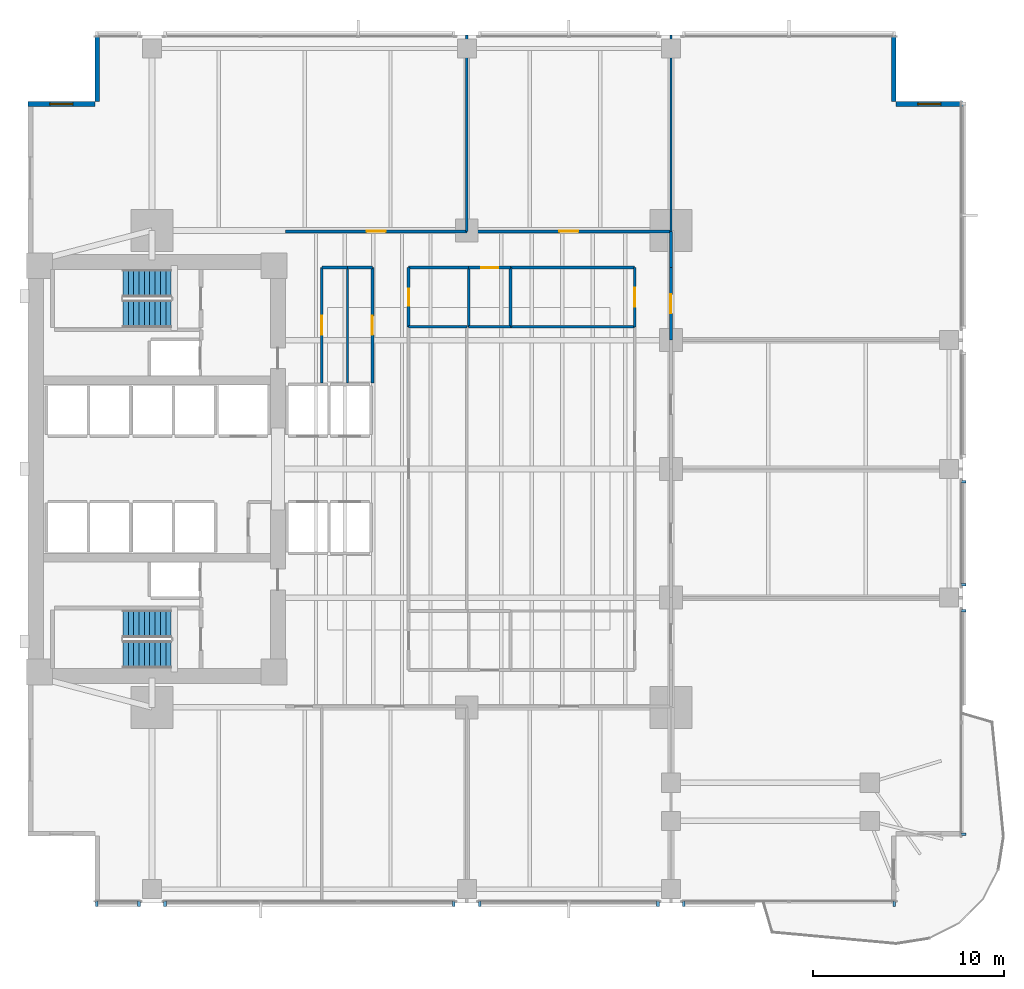
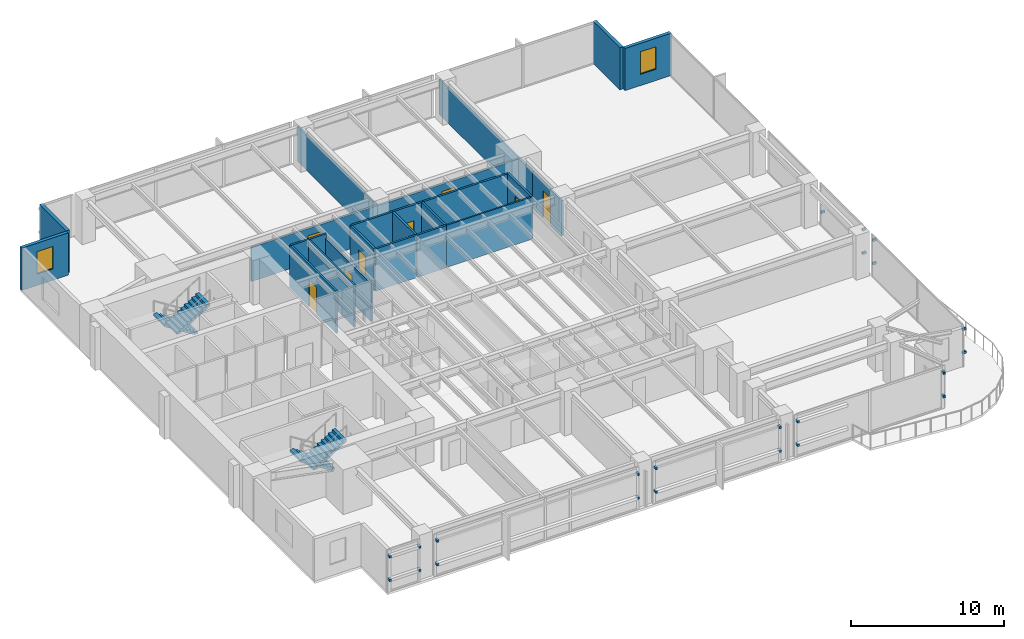
# One storey, part 10 of 15: 25 walls, 23 discrete accessories, 8 doors, 4 stair flights, 2 windows, 10 openings, 2 elements without a shape of their own.
"""IFC4 building model written with IfcOpenShell, lengths in metres."""

from ifc_helpers import new_model, si_unit, direction, frame, frame_2d, origin, origin_2d, place, context, subcontext, project, spatial, polyline, rectangle, outline, extrude, material, layer, layer_set, type_object, element, fill, aggregate, save


model = new_model("IFC4")

# Units and contexts
model_context = context("Model", 3, precision=1e-05, world=origin(), true_north=direction((0.0, 1.0)))
body_context = subcontext(model_context, "Body", "Model", "MODEL_VIEW")
ifc_project = project(units=[si_unit("LENGTHUNIT", "METRE"), si_unit("AREAUNIT", "SQUARE_METRE"), si_unit("VOLUMEUNIT", "CUBIC_METRE"), si_unit("PLANEANGLEUNIT", "RADIAN"), si_unit("MASSUNIT", "GRAM", prefix="KILO")], contexts=[model_context])

# Site, building, storey
site_placement = place(None, origin())
site = spatial("IfcSite", under=ifc_project, at=site_placement, CompositionType="ELEMENT")
building_placement = place(site_placement, origin())
building = spatial("IfcBuilding", under=site, at=building_placement, Name="Kinhvarn Gate Tower", CompositionType="ELEMENT")
storey_placement = place(building_placement, frame((0.0, 0.0, 32.699951171875)))
storey = spatial("IfcBuildingStorey", under=building, at=storey_placement, Name="L07", CompositionType="ELEMENT", Elevation=32.699951171875)

# Wall, opening, window
ifc_material_1 = material(Name="Fired architectural terracotta", Category="masonry")
ifc_layer_1 = layer(ifc_material_1, 0.25)
ifc_layer_set_1 = layer_set([ifc_layer_1], Name="Fired architectural terracotta")
wall_type_1 = type_object("IfcWallType", Name="WL-EXT-250", PredefinedType="SOLIDWALL", material=ifc_layer_set_1)
wall_1_placement = place(storey_placement, frame((53.5, 44.375, 0.0), z_axis=(0.0, 0.0, 1.0), x_axis=(-1.0, 0.0, 0.0)))
wall_1 = element("IfcWall", 1, at=wall_1_placement, inside=storey, type_object=wall_type_1, Name="Exterior Solidwall Wall EW-250 (L07 NE-Notch-1)", PredefinedType="SOLIDWALL", context=body_context, shape_type="SweptSolid", body=[
    extrude(rectangle(XDim=3.5, YDim=0.25, at=frame_2d((1.75, 0.0))), origin(), (0.0, 0.0, 1.0), 3.3701171875),
])
opening_1_placement = place(wall_1_placement, frame((1.14990234375, 0.0, 0.89990234375)))
opening_1 = element("IfcOpeningElement", 2, at=opening_1_placement, cuts=wall_1, Name="Opening WN-02", PredefinedType="OPENING", context=body_context, shape_type="SweptSolid", body=[
    extrude(rectangle(XDim=1.199951171875, YDim=1.800048828125, at=frame_2d((0.60009765625, 0.89990234375))), frame((0.0, 0.135009765625, 0.0), z_axis=(0.0, -1.0, 0.0), x_axis=(1.0, 0.0, 0.0)), (0.0, 0.0, 1.0), 0.27001953125),
])
ifc_material_2 = material(Name="Clear low-e double glazing", Category="glass")
window_type = type_object("IfcWindowType", Name="WIN-NTC-1200", PartitioningType="SINGLE_PANEL", PredefinedType="WINDOW", material=ifc_material_2)
window_1_placement = place(opening_1_placement, origin())
window_1 = element("IfcWindow", 3, at=window_1_placement, inside=storey, type_object=window_type, Name="Recessed Corner Notch Punched Window 1200x1800 mm (L07)", OverallHeight=1.800048828125, OverallWidth=1.199951171875, PartitioningType="SINGLE_PANEL", PredefinedType="WINDOW", context=body_context, shape_type="SweptSolid", body=[
    extrude(rectangle(XDim=1.199951171875, YDim=1.800048828125, at=frame_2d((0.60009765625, 0.89990234375))), frame((0.0, 0.030029296875, 0.0), z_axis=(0.0, -1.0, 0.0), x_axis=(1.0, 0.0, 0.0)), (0.0, 0.0, 1.0), 0.06005859375),
])
fill(opening_1, window_1)

# Walls
for number, where, z_axis, x_axis, name in (
    (4, (49.875, 44.5, 0.0), (0.0, 0.0, 1.0), (0.0, 1.0, 0.0), "Exterior Solidwall Wall EW-250 (L07 NE-Notch-2)"),
    (5, (8.125, 48.0, 0.0), (0.0, 0.0, 1.0), (0.0, -1.0, 0.0), "Exterior Solidwall Wall EW-250 (L07 NW-Notch-1)"),
):
    element("IfcWall", number, at=place(storey_placement, frame(where, z_axis=z_axis, x_axis=x_axis)), inside=storey, type_object=wall_type_1, Name=name, PredefinedType="SOLIDWALL", context=body_context, shape_type="SweptSolid", body=[
        extrude(rectangle(XDim=3.5, YDim=0.25, at=frame_2d((1.75, 0.0))), origin(), (0.0, 0.0, 1.0), 3.3701171875),
    ])

# Wall, opening, window
wall_2_placement = place(storey_placement, frame((8.0, 44.375, 0.0), z_axis=(0.0, 0.0, 1.0), x_axis=(-1.0, 0.0, 0.0)))
wall_2 = element("IfcWall", 6, at=wall_2_placement, inside=storey, type_object=wall_type_1, Name="Exterior Solidwall Wall EW-250 (L07 NW-Notch-2)", PredefinedType="SOLIDWALL", context=body_context, shape_type="SweptSolid", body=[
    extrude(rectangle(XDim=3.5, YDim=0.25, at=frame_2d((1.75, 0.0))), origin(), (0.0, 0.0, 1.0), 3.3701171875),
])
opening_2_placement = place(wall_2_placement, frame((1.14990234375, 0.0, 0.89990234375)))
opening_2 = element("IfcOpeningElement", 7, at=opening_2_placement, cuts=wall_2, Name="Opening WN-02", PredefinedType="OPENING", context=body_context, shape_type="SweptSolid", body=[
    extrude(rectangle(XDim=1.199951171875, YDim=1.800048828125, at=frame_2d((0.60009765625, 0.89990234375))), frame((0.0, 0.135009765625, 0.0), z_axis=(0.0, -1.0, 0.0), x_axis=(1.0, 0.0, 0.0)), (0.0, 0.0, 1.0), 0.27001953125),
])
window_2_placement = place(opening_2_placement, origin())
window_2 = element("IfcWindow", 8, at=window_2_placement, inside=storey, type_object=window_type, Name="Recessed Corner Notch Punched Window 1200x1800 mm (L07)", OverallHeight=1.800048828125, OverallWidth=1.199951171875, PartitioningType="SINGLE_PANEL", PredefinedType="WINDOW", context=body_context, shape_type="SweptSolid", body=[
    extrude(rectangle(XDim=1.199951171875, YDim=1.800048828125, at=frame_2d((0.60009765625, 0.89990234375))), frame((0.0, 0.030029296875, 0.0), z_axis=(0.0, -1.0, 0.0), x_axis=(1.0, 0.0, 0.0)), (0.0, 0.0, 1.0), 0.06005859375),
])
fill(opening_2, window_2)

# Walls
ifc_material_3 = material(Name="Gypsum acoustic partition board")
ifc_layer_2 = layer(ifc_material_3, 0.14990234375)
ifc_layer_set_2 = layer_set([ifc_layer_2], Name="Gypsum acoustic partition board")
wall_type_2 = type_object("IfcWallType", Name="WL-PLM-150", PredefinedType="PLUMBINGWALL", material=ifc_layer_set_2)
wall_3_placement = place(storey_placement, frame((27.60009765625, 32.699951171875, 0.0), z_axis=(0.0, 0.0, 1.0), x_axis=(0.0, 1.0, 0.0)))
element("IfcWall", 9, at=wall_3_placement, inside=storey, type_object=wall_type_2, Name="Interior Partition PLW-150 (L07)", PredefinedType="PLUMBINGWALL", context=body_context, shape_type="SweptSolid", body=[
    extrude(rectangle(XDim=3.10009765625, YDim=0.14990234375, at=frame_2d((1.550048828125, 0.0))), origin(), (0.0, 0.0, 1.0), 3.3701171875),
])
wall_4_placement = place(storey_placement, frame((24.449951171875, 32.699951171875, 0.0), z_axis=(0.0, 0.0, 1.0), x_axis=(1.0, 0.0, 0.0)))
element("IfcWall", 10, at=wall_4_placement, inside=storey, type_object=wall_type_2, Name="Interior Partition PLW-150 (L07)", PredefinedType="PLUMBINGWALL", context=body_context, shape_type="SweptSolid", body=[
    extrude(rectangle(XDim=3.050048828125, YDim=0.14990234375, at=frame_2d((1.52490234375, 0.0))), origin(), (0.0, 0.0, 1.0), 3.3701171875),
])
wall_5_placement = place(storey_placement, frame((29.800048828125, 32.699951171875, 0.0), z_axis=(0.0, 0.0, 1.0), x_axis=(0.0, 1.0, 0.0)))
element("IfcWall", 11, at=wall_5_placement, inside=storey, type_object=wall_type_2, Name="Interior Partition PLW-150 (L07)", PredefinedType="PLUMBINGWALL", context=body_context, shape_type="SweptSolid", body=[
    extrude(rectangle(XDim=3.10009765625, YDim=0.14990234375, at=frame_2d((1.550048828125, 0.0))), origin(), (0.0, 0.0, 1.0), 3.3701171875),
])
wall_6_placement = place(storey_placement, frame((27.60009765625, 32.699951171875, 0.0), z_axis=(0.0, 0.0, 1.0), x_axis=(1.0, 0.0, 0.0)))
element("IfcWall", 12, at=wall_6_placement, inside=storey, type_object=wall_type_2, Name="Interior Partition PLW-150 (L07)", PredefinedType="PLUMBINGWALL", context=body_context, shape_type="SweptSolid", body=[
    extrude(rectangle(XDim=2.199951171875, YDim=0.14990234375, at=frame_2d((1.10009765625, 0.0))), origin(), (0.0, 0.0, 1.0), 3.3701171875),
])

# Wall, opening, door
ifc_layer_3 = layer(ifc_material_3, 0.14990234375)
ifc_layer_set_3 = layer_set([ifc_layer_3], Name="Gypsum acoustic partition board")
wall_type_3 = type_object("IfcWallType", Name="WL-PLM-150F", PredefinedType="PLUMBINGWALL", material=ifc_layer_set_3)
wall_7_placement = place(storey_placement, frame((24.449951171875, 32.699951171875, 0.0), z_axis=(0.0, 0.0, 1.0), x_axis=(0.0, 1.0, 0.0)))
wall_7 = element("IfcWall", 13, at=wall_7_placement, inside=storey, type_object=wall_type_3, Name="Interior Partition PLW-150F (L07)", PredefinedType="PLUMBINGWALL", context=body_context, shape_type="SweptSolid", body=[
    extrude(rectangle(XDim=3.10009765625, YDim=0.14990234375, at=frame_2d((1.550048828125, 0.0))), origin(), (0.0, 0.0, 1.0), 3.3701171875),
])
opening_3_placement = place(wall_7_placement, frame((1.10009765625, 0.0, 0.0)))
opening_3 = element("IfcOpeningElement", 14, at=opening_3_placement, cuts=wall_7, Name="Opening FD-04", PredefinedType="OPENING", context=body_context, shape_type="SweptSolid", body=[
    extrude(rectangle(XDim=0.89990234375, YDim=2.10009765625, at=frame_2d((0.449951171875, 1.050048828125))), frame((0.0, 0.0849609375, 0.0), z_axis=(0.0, -1.0, 0.0), x_axis=(1.0, 0.0, 0.0)), (0.0, 0.0, 1.0), 0.169921875),
])
ifc_material_4 = material(Name="Anodised aluminium AW-6063", Category="aluminium")
door_type_1 = type_object("IfcDoorType", Name="DR-FD-900", OperationType="NOTDEFINED", PredefinedType="DOOR", material=ifc_material_4)
door_1_placement = place(opening_3_placement, origin())
door_1 = element("IfcDoor", 15, at=door_1_placement, inside=storey, type_object=door_type_1, Name="Rated Riser & Service Closet Fire Door 900x2100 mm (L07)", OperationType="SINGLE_SWING_RIGHT", OverallHeight=2.10009765625, OverallWidth=0.89990234375, PredefinedType="DOOR", context=body_context, shape_type="SweptSolid", body=[
    extrude(rectangle(XDim=0.89990234375, YDim=2.10009765625, at=frame_2d((0.449951171875, 1.050048828125))), frame((0.0, 0.02490234375, 0.0), z_axis=(0.0, -1.0, 0.0), x_axis=(1.0, 0.0, 0.0)), (0.0, 0.0, 1.0), 0.050048828125),
])
fill(opening_3, door_1)

# Wall
wall_8_placement = place(storey_placement, frame((24.449951171875, 35.800048828125, 0.0), z_axis=(0.0, 0.0, 1.0), x_axis=(1.0, 0.0, 0.0)))
element("IfcWall", 16, at=wall_8_placement, inside=storey, type_object=wall_type_3, Name="Interior Partition PLW-150F (L07)", PredefinedType="PLUMBINGWALL", context=body_context, shape_type="SweptSolid", body=[
    extrude(rectangle(XDim=3.150146484375, YDim=0.14990234375, at=frame_2d((1.5751953125, 0.0))), origin(), (0.0, 0.0, 1.0), 3.3701171875),
])

# Wall, opening, door
wall_9_placement = place(storey_placement, frame((27.60009765625, 35.800048828125, 0.0), z_axis=(0.0, 0.0, 1.0), x_axis=(1.0, 0.0, 0.0)))
wall_9 = element("IfcWall", 17, at=wall_9_placement, inside=storey, type_object=wall_type_3, Name="Interior Partition PLW-150F (L07)", PredefinedType="PLUMBINGWALL", context=body_context, shape_type="SweptSolid", body=[
    extrude(rectangle(XDim=2.199951171875, YDim=0.14990234375, at=frame_2d((1.10009765625, 0.0))), origin(), (0.0, 0.0, 1.0), 3.3701171875),
])
opening_4_placement = place(wall_9_placement, frame((0.64990234375, 0.0, 0.0)))
opening_4 = element("IfcOpeningElement", 18, at=opening_4_placement, cuts=wall_9, Name="Opening FD-04", PredefinedType="OPENING", context=body_context, shape_type="SweptSolid", body=[
    extrude(rectangle(XDim=0.89990234375, YDim=2.10009765625, at=frame_2d((0.449951171875, 1.050048828125))), frame((0.0, 0.0849609375, 0.0), z_axis=(0.0, -1.0, 0.0), x_axis=(1.0, 0.0, 0.0)), (0.0, 0.0, 1.0), 0.169921875),
])
door_2_placement = place(opening_4_placement, origin())
door_2 = element("IfcDoor", 19, at=door_2_placement, inside=storey, type_object=door_type_1, Name="Rated Riser & Service Closet Fire Door 900x2100 mm (L07)", OperationType="SINGLE_SWING_LEFT", OverallHeight=2.10009765625, OverallWidth=0.89990234375, PredefinedType="DOOR", context=body_context, shape_type="SweptSolid", body=[
    extrude(rectangle(XDim=0.89990234375, YDim=2.10009765625, at=frame_2d((0.449951171875, 1.050048828125))), frame((0.0, 0.02490234375, 0.0), z_axis=(0.0, -1.0, 0.0), x_axis=(1.0, 0.0, 0.0)), (0.0, 0.0, 1.0), 0.050048828125),
])
fill(opening_4, door_2)

# Walls
ifc_layer_4 = layer(ifc_material_3, 0.1201171875)
ifc_layer_set_4 = layer_set([ifc_layer_4], Name="Gypsum acoustic partition board")
wall_type_4 = type_object("IfcWallType", Name="WL-PRT-120", PredefinedType="PARTITIONING", material=ifc_layer_set_4)
wall_10_placement = place(storey_placement, frame((21.25, 29.75, 0.0), z_axis=(0.0, 0.0, 1.0), x_axis=(0.0, 1.0, 0.0)))
element("IfcWall", 20, at=wall_10_placement, inside=storey, type_object=wall_type_4, Name="Interior Partition PW-120 (L07)", PredefinedType="PARTITIONING", context=body_context, shape_type="SweptSolid", body=[
    extrude(rectangle(XDim=6.050048828125, YDim=0.1201171875, at=frame_2d((3.02490234375, 0.0))), origin(), (0.0, 0.0, 1.0), 3.3701171875),
])
wall_11_placement = place(storey_placement, frame((29.800048828125, 32.699951171875, 0.0), z_axis=(0.0, 0.0, 1.0), x_axis=(1.0, 0.0, 0.0)))
element("IfcWall", 21, at=wall_11_placement, inside=storey, type_object=wall_type_4, Name="Interior Partition PW-120 (L07)", PredefinedType="PARTITIONING", context=body_context, shape_type="SweptSolid", body=[
    extrude(rectangle(XDim=6.5, YDim=0.1201171875, at=frame_2d((3.25, 0.0))), origin(), (0.0, 0.0, 1.0), 3.3701171875),
])
for number, where, z_axis, x_axis, name in (
    (22, (27.5, 37.699951171875, 0.0), (0.0, 0.0, 1.0), (0.0, 1.0, 0.0), "Interior Partition PW-120 (L07)"),
    (23, (38.199951171875, 37.699951171875, 0.0), (0.0, 0.0, 1.0), (0.0, 1.0, 0.0), "Interior Partition PW-120 (L07)"),
):
    element("IfcWall", number, at=place(storey_placement, frame(where, z_axis=z_axis, x_axis=x_axis)), inside=storey, type_object=wall_type_4, Name=name, PredefinedType="PARTITIONING", context=body_context, shape_type="SweptSolid", body=[
        extrude(rectangle(XDim=10.2900390625, YDim=0.1201171875, at=frame_2d((5.14501953125, 0.0))), origin(), (0.0, 0.0, 1.0), 2.820068359375),
    ])

# Wall, opening, door
ifc_layer_5 = layer(ifc_material_3, 0.14990234375)
ifc_layer_set_5 = layer_set([ifc_layer_5], Name="Gypsum acoustic partition board")
wall_type_5 = type_object("IfcWallType", Name="WL-PRT-150F", PredefinedType="PARTITIONING", material=ifc_layer_set_5)
wall_12_placement = place(storey_placement, frame((22.550048828125, 29.75, 0.0), z_axis=(0.0, 0.0, 1.0), x_axis=(0.0, 1.0, 0.0)))
wall_12 = element("IfcWall", 24, at=wall_12_placement, inside=storey, type_object=wall_type_5, Name="Interior Partition PW-150F (L07)", PredefinedType="PARTITIONING", context=body_context, shape_type="SweptSolid", body=[
    extrude(rectangle(XDim=6.050048828125, YDim=0.14990234375, at=frame_2d((3.02490234375, 0.0))), origin(), (0.0, 0.0, 1.0), 3.010009765625),
])
opening_5_placement = place(wall_12_placement, frame((2.52490234375, 0.0, 0.0)))
opening_5 = element("IfcOpeningElement", 25, at=opening_5_placement, cuts=wall_12, Name="Opening ID-02", PredefinedType="OPENING", context=body_context, shape_type="SweptSolid", body=[
    extrude(rectangle(XDim=1.0, YDim=2.14990234375, at=frame_2d((0.5, 1.074951171875))), frame((0.0, 0.0849609375, 0.0), z_axis=(0.0, -1.0, 0.0), x_axis=(1.0, 0.0, 0.0)), (0.0, 0.0, 1.0), 0.169921875),
])
door_type_2 = type_object("IfcDoorType", Name="DR-INT-1000", OperationType="NOTDEFINED", PredefinedType="DOOR", material=ifc_material_4)
door_3_placement = place(opening_5_placement, origin())
door_3 = element("IfcDoor", 26, at=door_3_placement, inside=storey, type_object=door_type_2, Name="Standard Office & Meeting Room Door 1000x2150 mm (L07)", OperationType="SINGLE_SWING_RIGHT", OverallHeight=2.14990234375, OverallWidth=1.0, PredefinedType="DOOR", context=body_context, shape_type="SweptSolid", body=[
    extrude(rectangle(XDim=1.0, YDim=2.14990234375, at=frame_2d((0.5, 1.074951171875))), frame((0.0, 0.02490234375, 0.0), z_axis=(0.0, -1.0, 0.0), x_axis=(1.0, 0.0, 0.0)), (0.0, 0.0, 1.0), 0.050048828125),
])
fill(opening_5, door_3)

wall_13_placement = place(storey_placement, frame((19.89990234375, 29.75, 0.0), z_axis=(0.0, 0.0, 1.0), x_axis=(0.0, 1.0, 0.0)))
wall_13 = element("IfcWall", 27, at=wall_13_placement, inside=storey, type_object=wall_type_5, Name="Interior Partition PW-150F (L07)", PredefinedType="PARTITIONING", context=body_context, shape_type="SweptSolid", body=[
    extrude(rectangle(XDim=6.050048828125, YDim=0.14990234375, at=frame_2d((3.02490234375, 0.0))), origin(), (0.0, 0.0, 1.0), 3.3701171875),
])
opening_6_placement = place(wall_13_placement, frame((2.52490234375, 0.0, 0.0)))
opening_6 = element("IfcOpeningElement", 28, at=opening_6_placement, cuts=wall_13, Name="Opening ID-02", PredefinedType="OPENING", context=body_context, shape_type="SweptSolid", body=[
    extrude(rectangle(XDim=1.0, YDim=2.14990234375, at=frame_2d((0.5, 1.074951171875))), frame((0.0, 0.0849609375, 0.0), z_axis=(0.0, -1.0, 0.0), x_axis=(1.0, 0.0, 0.0)), (0.0, 0.0, 1.0), 0.169921875),
])
door_4_placement = place(opening_6_placement, origin())
door_4 = element("IfcDoor", 29, at=door_4_placement, inside=storey, type_object=door_type_2, Name="Standard Office & Meeting Room Door 1000x2150 mm (L07)", OperationType="SINGLE_SWING_RIGHT", OverallHeight=2.14990234375, OverallWidth=1.0, PredefinedType="DOOR", context=body_context, shape_type="SweptSolid", body=[
    extrude(rectangle(XDim=1.0, YDim=2.14990234375, at=frame_2d((0.5, 1.074951171875))), frame((0.0, 0.02490234375, 0.0), z_axis=(0.0, -1.0, 0.0), x_axis=(1.0, 0.0, 0.0)), (0.0, 0.0, 1.0), 0.050048828125),
])
fill(opening_6, door_4)

# Walls
wall_14_placement = place(storey_placement, frame((19.89990234375, 35.800048828125, 0.0), z_axis=(0.0, 0.0, 1.0), x_axis=(1.0, 0.0, 0.0)))
element("IfcWall", 30, at=wall_14_placement, inside=storey, type_object=wall_type_5, Name="Interior Partition PW-150F (L07)", PredefinedType="PARTITIONING", context=body_context, shape_type="SweptSolid", body=[
    extrude(rectangle(XDim=1.35009765625, YDim=0.14990234375, at=frame_2d((0.675048828125, 0.0))), origin(), (0.0, 0.0, 1.0), 3.3701171875),
])
wall_15_placement = place(storey_placement, frame((21.25, 35.800048828125, 0.0), z_axis=(0.0, 0.0, 1.0), x_axis=(1.0, 0.0, 0.0)))
element("IfcWall", 31, at=wall_15_placement, inside=storey, type_object=wall_type_5, Name="Interior Partition PW-150F (L07)", PredefinedType="PARTITIONING", context=body_context, shape_type="SweptSolid", body=[
    extrude(rectangle(XDim=1.300048828125, YDim=0.14990234375, at=frame_2d((0.64990234375, 0.0))), origin(), (0.0, 0.0, 1.0), 3.3701171875),
])
wall_16_placement = place(storey_placement, frame((29.800048828125, 35.800048828125, 0.0), z_axis=(0.0, 0.0, 1.0), x_axis=(1.0, 0.0, 0.0)))
element("IfcWall", 32, at=wall_16_placement, inside=storey, type_object=wall_type_5, Name="Interior Partition PW-150F (L07)", PredefinedType="PARTITIONING", context=body_context, shape_type="SweptSolid", body=[
    extrude(rectangle(XDim=6.5, YDim=0.14990234375, at=frame_2d((3.25, 0.0))), origin(), (0.0, 0.0, 1.0), 3.3701171875),
])

# Wall, opening, door
wall_17_placement = place(storey_placement, frame((18.0, 37.699951171875, 0.0), z_axis=(0.0, 0.0, 1.0), x_axis=(1.0, 0.0, 0.0)))
wall_17 = element("IfcWall", 33, at=wall_17_placement, inside=storey, type_object=wall_type_5, Name="Interior Partition PW-150F (L07)", PredefinedType="PARTITIONING", context=body_context, shape_type="SweptSolid", body=[
    extrude(rectangle(XDim=9.5, YDim=0.14990234375, at=frame_2d((4.75, 0.0))), origin(), (0.0, 0.0, 1.0), 2.719970703125),
])
opening_7_placement = place(wall_17_placement, frame((4.25, 0.0, 0.0)))
opening_7 = element("IfcOpeningElement", 34, at=opening_7_placement, cuts=wall_17, Name="Opening ID-02", PredefinedType="OPENING", context=body_context, shape_type="SweptSolid", body=[
    extrude(rectangle(XDim=1.0, YDim=2.14990234375, at=frame_2d((0.5, 1.074951171875))), frame((0.0, 0.0849609375, 0.0), z_axis=(0.0, -1.0, 0.0), x_axis=(1.0, 0.0, 0.0)), (0.0, 0.0, 1.0), 0.169921875),
])
door_5_placement = place(opening_7_placement, origin())
door_5 = element("IfcDoor", 35, at=door_5_placement, inside=storey, type_object=door_type_2, Name="Standard Office & Meeting Room Door 1000x2150 mm (L07)", OperationType="SINGLE_SWING_RIGHT", OverallHeight=2.14990234375, OverallWidth=1.0, PredefinedType="DOOR", context=body_context, shape_type="SweptSolid", body=[
    extrude(rectangle(XDim=1.0, YDim=2.14990234375, at=frame_2d((0.5, 1.074951171875))), frame((0.0, 0.02490234375, 0.0), z_axis=(0.0, -1.0, 0.0), x_axis=(1.0, 0.0, 0.0)), (0.0, 0.0, 1.0), 0.050048828125),
])
fill(opening_7, door_5)

wall_18_placement = place(storey_placement, frame((27.5, 37.699951171875, 0.0), z_axis=(0.0, 0.0, 1.0), x_axis=(1.0, 0.0, 0.0)))
wall_18 = element("IfcWall", 36, at=wall_18_placement, inside=storey, type_object=wall_type_5, Name="Interior Partition PW-150F (L07)", PredefinedType="PARTITIONING", context=body_context, shape_type="SweptSolid", body=[
    extrude(rectangle(XDim=10.699951171875, YDim=0.14990234375, at=frame_2d((5.35009765625, 0.0))), origin(), (0.0, 0.0, 1.0), 2.719970703125),
])
opening_8_placement = place(wall_18_placement, frame((4.85009765625, 0.0, 0.0)))
opening_8 = element("IfcOpeningElement", 37, at=opening_8_placement, cuts=wall_18, Name="Opening ID-02", PredefinedType="OPENING", context=body_context, shape_type="SweptSolid", body=[
    extrude(rectangle(XDim=1.0, YDim=2.14990234375, at=frame_2d((0.5, 1.074951171875))), frame((0.0, 0.0849609375, 0.0), z_axis=(0.0, -1.0, 0.0), x_axis=(1.0, 0.0, 0.0)), (0.0, 0.0, 1.0), 0.169921875),
])
door_6_placement = place(opening_8_placement, origin())
door_6 = element("IfcDoor", 38, at=door_6_placement, inside=storey, type_object=door_type_2, Name="Standard Office & Meeting Room Door 1000x2150 mm (L07)", OperationType="SINGLE_SWING_LEFT", OverallHeight=2.14990234375, OverallWidth=1.0, PredefinedType="DOOR", context=body_context, shape_type="SweptSolid", body=[
    extrude(rectangle(XDim=1.0, YDim=2.14990234375, at=frame_2d((0.5, 1.074951171875))), frame((0.0, 0.02490234375, 0.0), z_axis=(0.0, -1.0, 0.0), x_axis=(1.0, 0.0, 0.0)), (0.0, 0.0, 1.0), 0.050048828125),
])
fill(opening_8, door_6)

# Wall
wall_19_placement = place(storey_placement, frame((38.199951171875, 35.800048828125, 0.0), z_axis=(0.0, 0.0, 1.0), x_axis=(0.0, 1.0, 0.0)))
element("IfcWall", 39, at=wall_19_placement, inside=storey, type_object=wall_type_5, Name="Interior Partition PW-150F (L07)", PredefinedType="PARTITIONING", context=body_context, shape_type="SweptSolid", body=[
    extrude(rectangle(XDim=1.89990234375, YDim=0.14990234375, at=frame_2d((0.949951171875, 0.0))), origin(), (0.0, 0.0, 1.0), 2.820068359375),
])

# Wall, opening, door
wall_20_placement = place(storey_placement, frame((36.300048828125, 32.699951171875, 0.0), z_axis=(0.0, 0.0, 1.0), x_axis=(0.0, 1.0, 0.0)))
wall_20 = element("IfcWall", 40, at=wall_20_placement, inside=storey, type_object=wall_type_5, Name="Interior Partition PW-150F (L07)", PredefinedType="PARTITIONING", context=body_context, shape_type="SweptSolid", body=[
    extrude(rectangle(XDim=3.10009765625, YDim=0.14990234375, at=frame_2d((1.550048828125, 0.0))), origin(), (0.0, 0.0, 1.0), 3.3701171875),
])
opening_9_placement = place(wall_20_placement, frame((1.050048828125, 0.0, 0.0)))
opening_9 = element("IfcOpeningElement", 41, at=opening_9_placement, cuts=wall_20, Name="Opening ID-02", PredefinedType="OPENING", context=body_context, shape_type="SweptSolid", body=[
    extrude(rectangle(XDim=1.0, YDim=2.14990234375, at=frame_2d((0.5, 1.074951171875))), frame((0.0, 0.0849609375, 0.0), z_axis=(0.0, -1.0, 0.0), x_axis=(1.0, 0.0, 0.0)), (0.0, 0.0, 1.0), 0.169921875),
])
door_7_placement = place(opening_9_placement, origin())
door_7 = element("IfcDoor", 42, at=door_7_placement, inside=storey, type_object=door_type_2, Name="Standard Office & Meeting Room Door 1000x2150 mm (L07)", OperationType="SINGLE_SWING_LEFT", OverallHeight=2.14990234375, OverallWidth=1.0, PredefinedType="DOOR", context=body_context, shape_type="SweptSolid", body=[
    extrude(rectangle(XDim=1.0, YDim=2.14990234375, at=frame_2d((0.5, 1.074951171875))), frame((0.0, 0.02490234375, 0.0), z_axis=(0.0, -1.0, 0.0), x_axis=(1.0, 0.0, 0.0)), (0.0, 0.0, 1.0), 0.050048828125),
])
fill(opening_9, door_7)

wall_21_placement = place(storey_placement, frame((38.199951171875, 32.0, 0.0), z_axis=(0.0, 0.0, 1.0), x_axis=(0.0, 1.0, 0.0)))
wall_21 = element("IfcWall", 43, at=wall_21_placement, inside=storey, type_object=wall_type_5, Name="Interior Partition PW-150F (L07)", PredefinedType="PARTITIONING", context=body_context, shape_type="SweptSolid", body=[
    extrude(rectangle(XDim=3.800048828125, YDim=0.14990234375, at=frame_2d((1.89990234375, 0.0))), origin(), (0.0, 0.0, 1.0), 2.820068359375),
])
opening_10_placement = place(wall_21_placement, frame((1.39990234375, 0.0, 0.0)))
opening_10 = element("IfcOpeningElement", 44, at=opening_10_placement, cuts=wall_21, Name="Opening ID-02", PredefinedType="OPENING", context=body_context, shape_type="SweptSolid", body=[
    extrude(rectangle(XDim=1.0, YDim=2.14990234375, at=frame_2d((0.5, 1.074951171875))), frame((0.0, 0.0849609375, 0.0), z_axis=(0.0, -1.0, 0.0), x_axis=(1.0, 0.0, 0.0)), (0.0, 0.0, 1.0), 0.169921875),
])
door_8_placement = place(opening_10_placement, origin())
door_8 = element("IfcDoor", 45, at=door_8_placement, inside=storey, type_object=door_type_2, Name="Standard Office & Meeting Room Door 1000x2150 mm (L07)", OperationType="SINGLE_SWING_RIGHT", OverallHeight=2.14990234375, OverallWidth=1.0, PredefinedType="DOOR", context=body_context, shape_type="SweptSolid", body=[
    extrude(rectangle(XDim=1.0, YDim=2.14990234375, at=frame_2d((0.5, 1.074951171875))), frame((0.0, 0.02490234375, 0.0), z_axis=(0.0, -1.0, 0.0), x_axis=(1.0, 0.0, 0.0)), (0.0, 0.0, 1.0), 0.050048828125),
])
fill(opening_10, door_8)

# Stair, stair flights
ifc_material_5 = material(Name="Concrete C40/50", Category="concrete")
stair_type = type_object("IfcStairType", Name="STR-DLG-177", PredefinedType="HALF_TURN_STAIR", material=ifc_material_5)
stair_1_placement = place(storey_placement, origin())
stair_1 = element("IfcStair", 46, at=stair_1_placement, inside=storey, type_object=stair_type, Name="L07 Core Smokeproof Exit Stair ST1", PredefinedType="HALF_TURN_STAIR")
stair_flight_type = type_object("IfcStairFlightType", Name="STF-DLG-177", PredefinedType="STRAIGHT", material=ifc_material_5)
stair_flight_1_placement = place(storey_placement, frame((12.0, 17.125, 0.0), z_axis=(0.0, 0.0, 1.0), x_axis=(-1.0, 0.0, 0.0)))
stair_flight_1 = element("IfcStairFlight", 47, at=stair_flight_1_placement, type_object=stair_flight_type, Name="ST1 flight 1", NumberOfRisers=10, NumberOfTreads=9, PredefinedType="STRAIGHT", RiserHeight=0.1775, TreadLength=0.28, context=body_context, shape_type="SweptSolid", body=[
    extrude(outline(polyline([(0.0, 0.0), (0.0, 0.177490234375), (0.280029296875, 0.177490234375), (0.280029296875, 0.35498046875), (0.56005859375, 0.35498046875), (0.56005859375, 0.532470703125), (0.840087890625, 0.532470703125), (0.840087890625, 0.7099609375), (1.1201171875, 0.7099609375), (1.1201171875, 0.887451171875), (1.39990234375, 0.887451171875), (1.39990234375, 1.06494140625), (1.679931640625, 1.06494140625), (1.679931640625, 1.242431640625), (1.9599609375, 1.242431640625), (1.9599609375, 1.419921875), (2.239990234375, 1.419921875), (2.239990234375, 1.597412109375), (2.52001953125, 1.597412109375), (2.52001953125, 1.77490234375), (2.52001953125, 1.419921875), (0.280029296875, 0.0), (0.0, 0.0)])), frame((0.0, 0.72509765625, 0.0), z_axis=(0.0, -1.0, 0.0), x_axis=(1.0, 0.0, 0.0)), (0.0, 0.0, 1.0), 1.449951171875),
])
stair_flight_2_placement = place(storey_placement, frame((9.47998046875, 15.52490234375, 1.775146484375), z_axis=(0.0, 0.0, 1.0), x_axis=(1.0, 0.0, 0.0)))
stair_flight_2 = element("IfcStairFlight", 48, at=stair_flight_2_placement, type_object=stair_flight_type, Name="ST1 flight 2", NumberOfRisers=10, NumberOfTreads=9, PredefinedType="STRAIGHT", RiserHeight=0.1775, TreadLength=0.28, context=body_context, shape_type="SweptSolid", body=[
    extrude(outline(polyline([(0.0, 0.0), (0.0, 0.177490234375), (0.280029296875, 0.177490234375), (0.280029296875, 0.35498046875), (0.56005859375, 0.35498046875), (0.56005859375, 0.532470703125), (0.840087890625, 0.532470703125), (0.840087890625, 0.7099609375), (1.1201171875, 0.7099609375), (1.1201171875, 0.887451171875), (1.39990234375, 0.887451171875), (1.39990234375, 1.06494140625), (1.679931640625, 1.06494140625), (1.679931640625, 1.242431640625), (1.9599609375, 1.242431640625), (1.9599609375, 1.419921875), (2.239990234375, 1.419921875), (2.239990234375, 1.597412109375), (2.52001953125, 1.597412109375), (2.52001953125, 1.77490234375), (2.52001953125, 1.419921875), (0.280029296875, 0.0), (0.0, 0.0)])), frame((0.0, 0.72509765625, 0.0), z_axis=(0.0, -1.0, 0.0), x_axis=(1.0, 0.0, 0.0)), (0.0, 0.0, 1.0), 1.449951171875),
])
aggregate(stair_1, [stair_flight_1, stair_flight_2])

stair_2_placement = place(storey_placement, origin())
stair_2 = element("IfcStair", 49, at=stair_2_placement, inside=storey, type_object=stair_type, Name="L07 Core Smokeproof Exit Stair ST2", PredefinedType="HALF_TURN_STAIR")
stair_flight_3_placement = place(storey_placement, frame((12.0, 34.97509765625, 0.0), z_axis=(0.0, 0.0, 1.0), x_axis=(-1.0, 0.0, 0.0)))
stair_flight_3 = element("IfcStairFlight", 50, at=stair_flight_3_placement, type_object=stair_flight_type, Name="ST2 flight 1", NumberOfRisers=10, NumberOfTreads=9, PredefinedType="STRAIGHT", RiserHeight=0.1775, TreadLength=0.28, context=body_context, shape_type="SweptSolid", body=[
    extrude(outline(polyline([(0.0, 0.0), (0.0, 0.177490234375), (0.280029296875, 0.177490234375), (0.280029296875, 0.35498046875), (0.56005859375, 0.35498046875), (0.56005859375, 0.532470703125), (0.840087890625, 0.532470703125), (0.840087890625, 0.7099609375), (1.1201171875, 0.7099609375), (1.1201171875, 0.887451171875), (1.39990234375, 0.887451171875), (1.39990234375, 1.06494140625), (1.679931640625, 1.06494140625), (1.679931640625, 1.242431640625), (1.9599609375, 1.242431640625), (1.9599609375, 1.419921875), (2.239990234375, 1.419921875), (2.239990234375, 1.597412109375), (2.52001953125, 1.597412109375), (2.52001953125, 1.77490234375), (2.52001953125, 1.419921875), (0.280029296875, 0.0), (0.0, 0.0)])), frame((0.0, 0.72509765625, 0.0), z_axis=(0.0, -1.0, 0.0), x_axis=(1.0, 0.0, 0.0)), (0.0, 0.0, 1.0), 1.449951171875),
])
stair_flight_4_placement = place(storey_placement, frame((9.47998046875, 33.375, 1.775146484375), z_axis=(0.0, 0.0, 1.0), x_axis=(1.0, 0.0, 0.0)))
stair_flight_4 = element("IfcStairFlight", 51, at=stair_flight_4_placement, type_object=stair_flight_type, Name="ST2 flight 2", NumberOfRisers=10, NumberOfTreads=9, PredefinedType="STRAIGHT", RiserHeight=0.1775, TreadLength=0.28, context=body_context, shape_type="SweptSolid", body=[
    extrude(outline(polyline([(0.0, 0.0), (0.0, 0.177490234375), (0.280029296875, 0.177490234375), (0.280029296875, 0.35498046875), (0.56005859375, 0.35498046875), (0.56005859375, 0.532470703125), (0.840087890625, 0.532470703125), (0.840087890625, 0.7099609375), (1.1201171875, 0.7099609375), (1.1201171875, 0.887451171875), (1.39990234375, 0.887451171875), (1.39990234375, 1.06494140625), (1.679931640625, 1.06494140625), (1.679931640625, 1.242431640625), (1.9599609375, 1.242431640625), (1.9599609375, 1.419921875), (2.239990234375, 1.419921875), (2.239990234375, 1.597412109375), (2.52001953125, 1.597412109375), (2.52001953125, 1.77490234375), (2.52001953125, 1.419921875), (0.280029296875, 0.0), (0.0, 0.0)])), frame((0.0, 0.72509765625, 0.0), z_axis=(0.0, -1.0, 0.0), x_axis=(1.0, 0.0, 0.0)), (0.0, 0.0, 1.0), 1.449951171875),
])
aggregate(stair_2, [stair_flight_3, stair_flight_4])

# Discrete accessories
discrete_accessory_type = type_object("IfcDiscreteAccessoryType", Name="ACC-BRK-01", PredefinedType="BRACKET", material=ifc_material_4)
for number, where, z_axis, x_axis, name in (
    (52, (8.10009765625, 2.4599609375, 0.9599609375), (0.0, 0.0, 1.0), (1.0, 0.0, 0.0), "Baguette Support Bracket BK-01 (L07)"),
    (53, (8.10009765625, 2.4599609375, 2.830078125), (0.0, 0.0, 1.0), (1.0, 0.0, 0.0), "Baguette Support Bracket BK-01 (L07)"),
    (54, (10.320068359375, 2.4599609375, 0.9599609375), (0.0, 0.0, 1.0), (1.0, 0.0, 0.0), "Baguette Support Bracket BK-01 (L07)"),
    (55, (10.320068359375, 2.4599609375, 2.830078125), (0.0, 0.0, 1.0), (1.0, 0.0, 0.0), "Baguette Support Bracket BK-01 (L07)"),
    (56, (11.679931640625, 2.4599609375, 0.9599609375), (0.0, 0.0, 1.0), (1.0, 0.0, 0.0), "Baguette Support Bracket BK-01 (L07)"),
    (57, (11.679931640625, 2.4599609375, 2.830078125), (0.0, 0.0, 1.0), (1.0, 0.0, 0.0), "Baguette Support Bracket BK-01 (L07)"),
    (58, (26.820068359375, 2.4599609375, 0.9599609375), (0.0, 0.0, 1.0), (1.0, 0.0, 0.0), "Baguette Support Bracket BK-01 (L07)"),
    (59, (26.820068359375, 2.4599609375, 2.830078125), (0.0, 0.0, 1.0), (1.0, 0.0, 0.0), "Baguette Support Bracket BK-01 (L07)"),
    (60, (28.179931640625, 2.4599609375, 0.9599609375), (0.0, 0.0, 1.0), (1.0, 0.0, 0.0), "Baguette Support Bracket BK-01 (L07)"),
    (61, (28.179931640625, 2.4599609375, 2.830078125), (0.0, 0.0, 1.0), (1.0, 0.0, 0.0), "Baguette Support Bracket BK-01 (L07)"),
    (62, (37.52001953125, 2.4599609375, 0.9599609375), (0.0, 0.0, 1.0), (1.0, 0.0, 0.0), "Baguette Support Bracket BK-01 (L07)"),
    (63, (37.52001953125, 2.4599609375, 2.830078125), (0.0, 0.0, 1.0), (1.0, 0.0, 0.0), "Baguette Support Bracket BK-01 (L07)"),
    (64, (38.8798828125, 2.4599609375, 0.9599609375), (0.0, 0.0, 1.0), (1.0, 0.0, 0.0), "Baguette Support Bracket BK-01 (L07)"),
    (65, (38.8798828125, 2.4599609375, 2.830078125), (0.0, 0.0, 1.0), (1.0, 0.0, 0.0), "Baguette Support Bracket BK-01 (L07)"),
    (66, (49.89990234375, 2.4599609375, 0.9599609375), (0.0, 0.0, 1.0), (1.0, 0.0, 0.0), "Baguette Support Bracket BK-01 (L07)"),
    (67, (49.89990234375, 2.4599609375, 2.830078125), (0.0, 0.0, 1.0), (1.0, 0.0, 0.0), "Baguette Support Bracket BK-01 (L07)"),
    (68, (53.5400390625, 6.10009765625, 0.9599609375), (0.0, 0.0, 1.0), (0.0, 1.0, 0.0), "Baguette Support Bracket BK-01 (L07)"),
    (69, (53.5400390625, 6.10009765625, 2.830078125), (0.0, 0.0, 1.0), (0.0, 1.0, 0.0), "Baguette Support Bracket BK-01 (L07)"),
    (70, (53.5400390625, 17.820068359375, 0.9599609375), (0.0, 0.0, 1.0), (0.0, 1.0, 0.0), "Baguette Support Bracket BK-01 (L07)"),
    (71, (53.5400390625, 17.820068359375, 2.830078125), (0.0, 0.0, 1.0), (0.0, 1.0, 0.0), "Baguette Support Bracket BK-01 (L07)"),
    (72, (53.5400390625, 19.179931640625, 0.9599609375), (0.0, 0.0, 1.0), (0.0, 1.0, 0.0), "Baguette Support Bracket BK-01 (L07)"),
    (73, (53.5400390625, 19.179931640625, 2.830078125), (0.0, 0.0, 1.0), (0.0, 1.0, 0.0), "Baguette Support Bracket BK-01 (L07)"),
    (74, (53.5400390625, 24.570068359375, 0.9599609375), (0.0, 0.0, 1.0), (0.0, 1.0, 0.0), "Baguette Support Bracket BK-01 (L07)"),
):
    element("IfcDiscreteAccessory", number, at=place(storey_placement, frame(where, z_axis=z_axis, x_axis=x_axis)), inside=storey, type_object=discrete_accessory_type, Name=name, PredefinedType="BRACKET", context=body_context, shape_type="SweptSolid", body=[
        extrude(rectangle(XDim=0.139892578125, YDim=0.280029296875, at=origin_2d()), origin(), (0.0, 0.0, 1.0), 0.179931640625),
    ])

save(model, "model.ifc")
